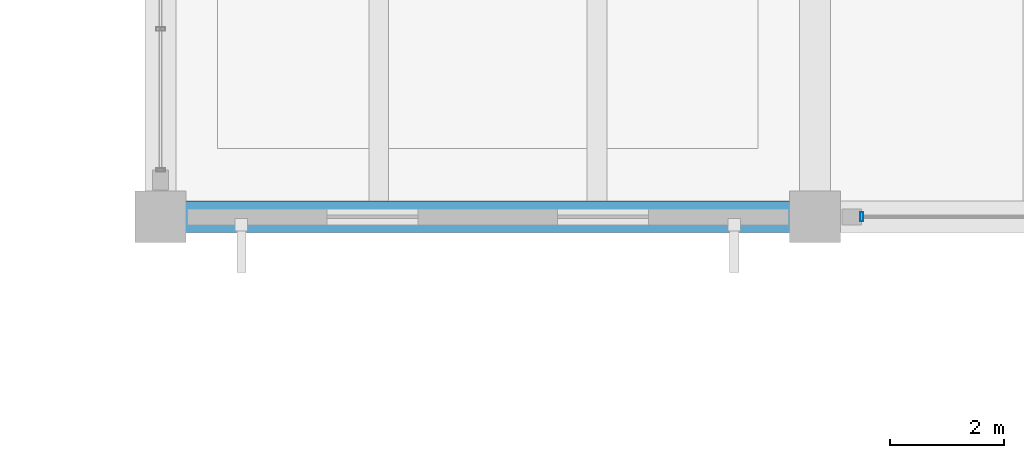
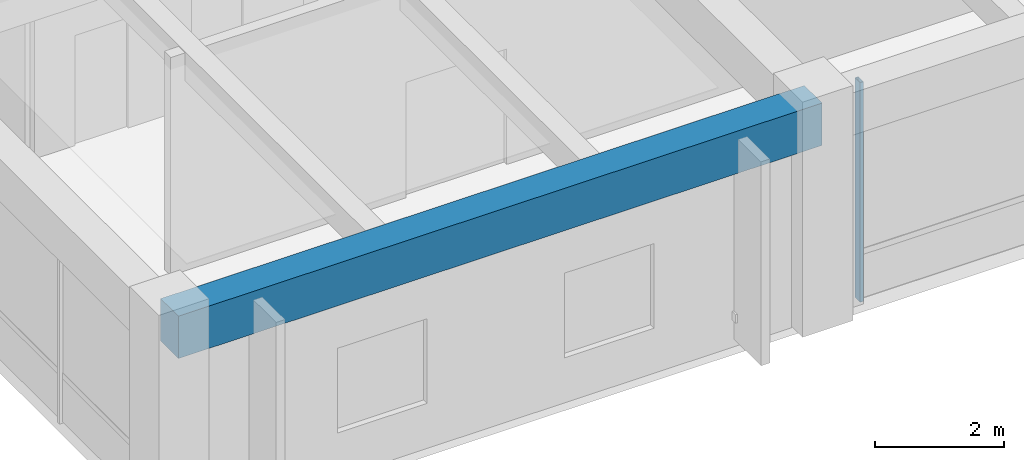
# One storey, part 3 of 27: 1 beam, 1 member, 1 element without a shape of its own.
"""IFC4 building model written with IfcOpenShell, lengths in metres."""

from ifc_helpers import new_model, si_unit, direction, frame, origin, origin_2d, place, context, subcontext, project, spatial, rectangle, hollow_rectangle, extrude, material, material_profile, profile_set, type_object, element, aggregate, save


model = new_model("IFC4")

# Units and contexts
model_context = context("Model", 3, precision=1e-05, world=origin(), true_north=direction((0.0, 1.0)))
body_context = subcontext(model_context, "Body", "Model", "MODEL_VIEW")
ifc_project = project(units=[si_unit("LENGTHUNIT", "METRE"), si_unit("AREAUNIT", "SQUARE_METRE"), si_unit("VOLUMEUNIT", "CUBIC_METRE"), si_unit("PLANEANGLEUNIT", "RADIAN"), si_unit("MASSUNIT", "GRAM", prefix="KILO")], contexts=[model_context])

# Site, building, storey
site_placement = place(None, origin())
site = spatial("IfcSite", under=ifc_project, at=site_placement, CompositionType="ELEMENT")
building_placement = place(site_placement, origin())
building = spatial("IfcBuilding", under=site, at=building_placement, Name="Ologun Quay Terminus", CompositionType="ELEMENT")
storey_placement = place(building_placement, frame((0.0, 0.0, 22.4599609375)))
storey = spatial("IfcBuildingStorey", under=building, at=storey_placement, Name="L05", CompositionType="ELEMENT", Elevation=22.4599609375)

# Curtain wall, member
ifc_material_1 = material(Name="Aluminium 6063-T6", Category="aluminium")
curtain_wall_type = type_object("IfcCurtainWallType", Name="Operations Wing Canteen Curtain Wall L05 10600x4050", PredefinedType="USERDEFINED", material=ifc_material_1)
curtain_wall_placement = place(storey_placement, origin())
curtain_wall = element("IfcCurtainWall", 1, at=curtain_wall_placement, inside=storey, type_object=curtain_wall_type, Name="CW-28 Curtain Wall CW-L05-152", ObjectType="UNITISED CURTAIN WALL", PredefinedType="USERDEFINED")
ifc_material_2 = material(Name="Aluminium 6063-T6", Category="aluminium")
ifc_material_profile_1 = material_profile(ifc_material_2, hollow_rectangle(XDim=0.06005859375, YDim=0.159912109375, WallThickness=0.00390625, at=origin_2d()), Name="ALU 160x60x4")
ifc_profile_set_1 = profile_set([ifc_material_profile_1], Name="Aluminium 6063-T6")
member_type = type_object("IfcMemberType", Name="Courtyard Screen Mullion 160x65", PredefinedType="MULLION", material=ifc_profile_set_1)
member_placement = place(storey_placement, frame((127.320068359375, 85.800048828125, 0.0), z_axis=(0.0, 0.0, 1.0), x_axis=(1.0, 0.0, 0.0)))
member = element("IfcMember", 2, at=member_placement, type_object=member_type, Name="CW-L05-152 Mullion 1", PredefinedType="MULLION", context=body_context, shape_type="SweptSolid", body=[
    extrude(hollow_rectangle(XDim=0.06005859375, YDim=0.159912109375, WallThickness=0.00390625, at=origin_2d()), origin(), (0.0, 0.0, 1.0), 4.150146484375),
])
aggregate(curtain_wall, [member])

# Beam
ifc_material_3 = material(Name="Concrete C40/50", Category="concrete")
ifc_material_profile_2 = material_profile(ifc_material_3, rectangle(XDim=0.550048828125, YDim=0.800048828125, at=origin_2d()), Name="RC 550x800")
ifc_profile_set_2 = profile_set([ifc_material_profile_2], Name="Concrete C40/50")
beam_type = type_object("IfcBeamType", Name="Courtyard Wing Primary Girder 550x800", PredefinedType="BEAM", material=ifc_profile_set_2)
beam_placement = place(storey_placement, frame((115.0, 85.800048828125, 3.760009765625), z_axis=(1.0, 0.0, 0.0), x_axis=(0.0, 1.0, 0.0)))
element("IfcBeam", 3, at=beam_placement, inside=storey, type_object=beam_type, Name="B4 Beam 11/G2 L05", PredefinedType="BEAM", context=body_context, shape_type="SweptSolid", body=[
    extrude(rectangle(XDim=0.550048828125, YDim=0.800048828125, at=origin_2d()), origin(), (0.0, 0.0, 1.0), 11.5),
])

save(model, "model.ifc")
